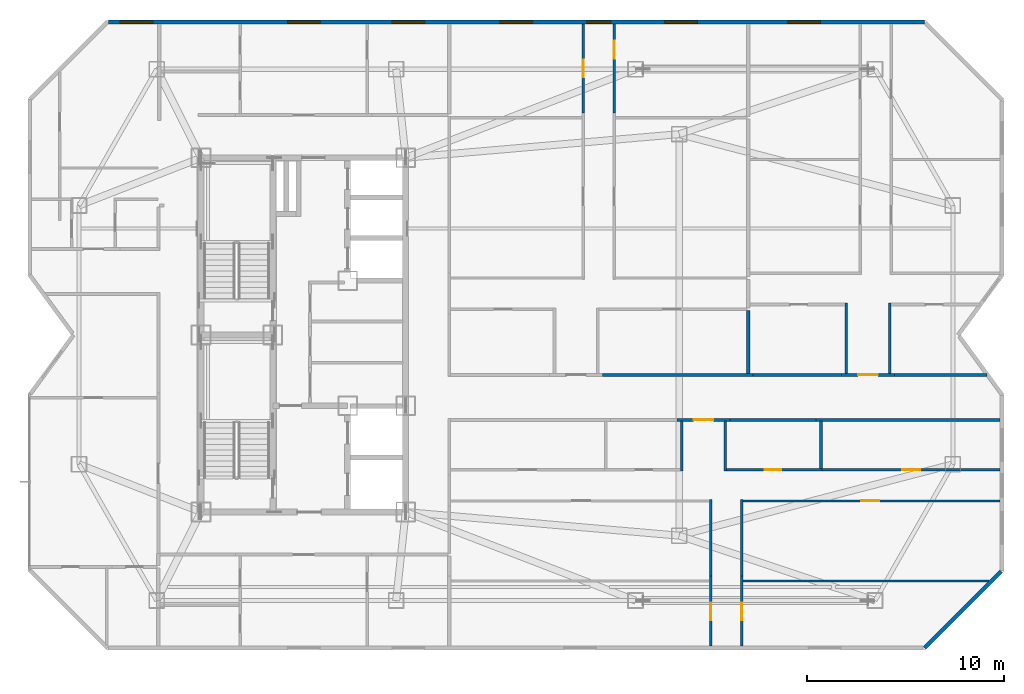
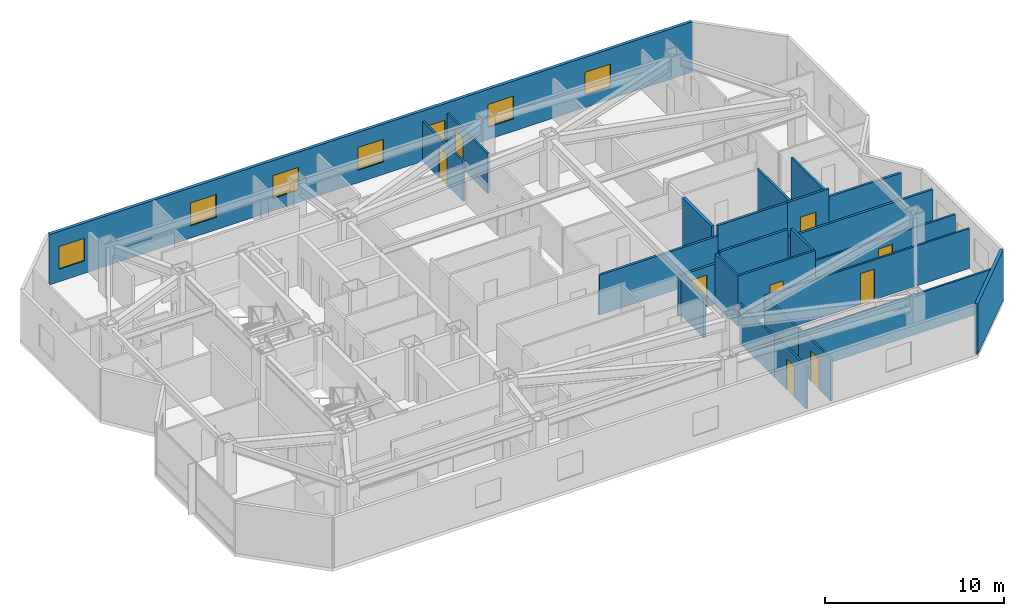
# One storey, part 11 of 14: 25 walls, 9 doors, 7 windows, 16 openings.
"""IFC4 building model written with IfcOpenShell, lengths in metres."""

from ifc_helpers import new_model, si_unit, direction, frame, frame_2d, origin, place, context, subcontext, project, spatial, rectangle, extrude, material, layer, layer_set, type_object, element, fill, save


model = new_model("IFC4")

# Units and contexts
model_context = context("Model", 3, precision=1e-05, world=origin(), true_north=direction((0.0, 1.0)))
body_context = subcontext(model_context, "Body", "Model", "MODEL_VIEW")
ifc_project = project(units=[si_unit("LENGTHUNIT", "METRE"), si_unit("AREAUNIT", "SQUARE_METRE"), si_unit("VOLUMEUNIT", "CUBIC_METRE"), si_unit("PLANEANGLEUNIT", "RADIAN"), si_unit("MASSUNIT", "GRAM", prefix="KILO")], contexts=[model_context])

# Site, building, storey
site_placement = place(None, origin())
site = spatial("IfcSite", under=ifc_project, at=site_placement, CompositionType="ELEMENT")
building_placement = place(site_placement, origin())
building = spatial("IfcBuilding", under=site, at=building_placement, Name="Khamvora Tower", CompositionType="ELEMENT")
storey_placement = place(building_placement, frame((0.0, 0.0, 231.800048828125)))
storey = spatial("IfcBuildingStorey", under=building, at=storey_placement, Name="L59", CompositionType="ELEMENT", Elevation=231.800048828125)

# Wall
ifc_material_1 = material(Name="Fire-Rated Drywall and Steel Stud", Category="steel")
ifc_layer_1 = layer(ifc_material_1, 0.14990234375)
ifc_layer_set_1 = layer_set([ifc_layer_1], Name="Fire-Rated Drywall and Steel Stud")
wall_type_1 = type_object("IfcWallType", Name="WAL-CORR-150", PredefinedType="STANDARD", material=ifc_layer_set_1)
wall_1_placement = place(storey_placement, frame((69.60791015625, 23.68505859375, 0.0), z_axis=(0.0, 0.0, 1.0), x_axis=(-1.0, 0.0, 0.0)))
element("IfcWall", 1, at=wall_1_placement, inside=storey, type_object=wall_type_1, Name="L59 interior partition wall 022", PredefinedType="STANDARD", context=body_context, shape_type="SweptSolid", body=[
    extrude(rectangle(XDim=9.35693359375, YDim=0.14990234375, at=frame_2d((4.678466796875, 0.0))), origin(), (0.0, 0.0, 1.0), 2.886962890625),
])

# Wall, opening, door
wall_2_placement = place(storey_placement, frame((55.884033203125, 23.68505859375, 0.0), z_axis=(0.0, 0.0, 1.0), x_axis=(-1.0, 0.0, 0.0)))
wall_2 = element("IfcWall", 2, at=wall_2_placement, inside=storey, type_object=wall_type_1, Name="L59 interior partition wall 023", PredefinedType="STANDARD", context=body_context, shape_type="SweptSolid", body=[
    extrude(rectangle(XDim=2.697998046875, YDim=0.14990234375, at=frame_2d((1.34912109375, 0.0))), origin(), (0.0, 0.0, 1.0), 2.724853515625),
])
opening_1_placement = place(wall_2_placement, frame((0.84912109375, 0.0, 0.0)))
opening_1 = element("IfcOpeningElement", 3, at=opening_1_placement, cuts=wall_2, Name="Opening D-U1", PredefinedType="OPENING", context=body_context, shape_type="SweptSolid", body=[
    extrude(rectangle(XDim=1.0, YDim=2.14990234375, at=frame_2d((0.5, 1.074951171875))), frame((0.0, 0.0849609375, 0.0), z_axis=(0.0, -1.0, 0.0), x_axis=(1.0, 0.0, 0.0)), (0.0, 0.0, 1.0), 0.169921875),
])
ifc_material_2 = material(Name="Powder-Coated Steel and Hardwood Leaf", Category="steel")
door_type_1 = type_object("IfcDoorType", Name="DOR-UNIT-1000", OperationType="NOTDEFINED", PredefinedType="DOOR", material=ifc_material_2)
door_1_placement = place(opening_1_placement, origin())
door_1 = element("IfcDoor", 4, at=door_1_placement, inside=storey, type_object=door_type_1, Name="L59 interior door COR-59EAH", OperationType="SINGLE_SWING_RIGHT", OverallHeight=2.14990234375, OverallWidth=1.0, PredefinedType="DOOR", context=body_context, shape_type="SweptSolid", body=[
    extrude(rectangle(XDim=1.0, YDim=2.14990234375, at=frame_2d((0.5, 1.074951171875))), frame((0.0, 0.02490234375, 0.0), z_axis=(0.0, -1.0, 0.0), x_axis=(1.0, 0.0, 0.0)), (0.0, 0.0, 1.0), 0.050048828125),
])
fill(opening_1, door_1)

# Walls
wall_3_placement = place(storey_placement, frame((60.2509765625, 23.68505859375, 0.0), z_axis=(0.0, 0.0, 1.0), x_axis=(-1.0, 0.0, 0.0)))
element("IfcWall", 5, at=wall_3_placement, inside=storey, type_object=wall_type_1, Name="L59 interior partition wall 026", PredefinedType="STANDARD", context=body_context, shape_type="SweptSolid", body=[
    extrude(rectangle(XDim=4.366943359375, YDim=0.14990234375, at=frame_2d((2.18359375, 0.0))), origin(), (0.0, 0.0, 1.0), 3.429931640625),
])
wall_4_placement = place(storey_placement, frame((49.408935546875, 25.965087890625, 0.0), z_axis=(0.0, 0.0, 1.0), x_axis=(1.0, 0.0, 0.0)))
element("IfcWall", 6, at=wall_4_placement, inside=storey, type_object=wall_type_1, Name="L59 interior partition wall 032", PredefinedType="STANDARD", context=body_context, shape_type="SweptSolid", body=[
    extrude(rectangle(XDim=7.64599609375, YDim=0.14990234375, at=frame_2d((3.822998046875, 0.0))), origin(), (0.0, 0.0, 1.0), 2.724853515625),
])

# Wall, opening, door
wall_5_placement = place(storey_placement, frame((61.5400390625, 25.965087890625, 0.0), z_axis=(0.0, 0.0, 1.0), x_axis=(1.0, 0.0, 0.0)))
wall_5 = element("IfcWall", 7, at=wall_5_placement, inside=storey, type_object=wall_type_1, Name="L59 interior partition wall 034", PredefinedType="STANDARD", context=body_context, shape_type="SweptSolid", body=[
    extrude(rectangle(XDim=2.697998046875, YDim=0.14990234375, at=frame_2d((1.34912109375, 0.0))), origin(), (0.0, 0.0, 1.0), 3.429931640625),
])
opening_2_placement = place(wall_5_placement, frame((0.84912109375, 0.0, 0.0)))
opening_2 = element("IfcOpeningElement", 8, at=opening_2_placement, cuts=wall_5, Name="Opening D-U1", PredefinedType="OPENING", context=body_context, shape_type="SweptSolid", body=[
    extrude(rectangle(XDim=1.0, YDim=2.14990234375, at=frame_2d((0.5, 1.074951171875))), frame((0.0, 0.0849609375, 0.0), z_axis=(0.0, -1.0, 0.0), x_axis=(1.0, 0.0, 0.0)), (0.0, 0.0, 1.0), 0.169921875),
])
door_2_placement = place(opening_2_placement, origin())
door_2 = element("IfcDoor", 9, at=door_2_placement, inside=storey, type_object=door_type_1, Name="L59 interior door COR-59EB2H", OperationType="SINGLE_SWING_RIGHT", OverallHeight=2.14990234375, OverallWidth=1.0, PredefinedType="DOOR", context=body_context, shape_type="SweptSolid", body=[
    extrude(rectangle(XDim=1.0, YDim=2.14990234375, at=frame_2d((0.5, 1.074951171875))), frame((0.0, 0.02490234375, 0.0), z_axis=(0.0, -1.0, 0.0), x_axis=(1.0, 0.0, 0.0)), (0.0, 0.0, 1.0), 0.050048828125),
])
fill(opening_2, door_2)

# Walls
wall_6_placement = place(storey_placement, frame((64.238037109375, 25.965087890625, 0.0), z_axis=(0.0, 0.0, 1.0), x_axis=(1.0, 0.0, 0.0)))
element("IfcWall", 10, at=wall_6_placement, inside=storey, type_object=wall_type_1, Name="L59 interior partition wall 035", PredefinedType="STANDARD", context=body_context, shape_type="SweptSolid", body=[
    extrude(rectangle(XDim=4.702880859375, YDim=0.14990234375, at=frame_2d((2.3515625, 0.0))), origin(), (0.0, 0.0, 1.0), 2.886962890625),
])
wall_7_placement = place(storey_placement, frame((57.054931640625, 25.965087890625, 0.0), z_axis=(0.0, 0.0, 1.0), x_axis=(1.0, 0.0, 0.0)))
element("IfcWall", 11, at=wall_7_placement, inside=storey, type_object=wall_type_1, Name="L59 interior partition wall 036", PredefinedType="STANDARD", context=body_context, shape_type="SweptSolid", body=[
    extrude(rectangle(XDim=4.485107421875, YDim=0.14990234375, at=frame_2d((2.24267578125, 0.0))), origin(), (0.0, 0.0, 1.0), 3.429931640625),
])
ifc_material_3 = material(Name="Acoustic Double-Stud Fire Wall", Category="gypsum")
ifc_layer_2 = layer(ifc_material_3, 0.179931640625)
ifc_layer_set_2 = layer_set([ifc_layer_2], Name="Acoustic Double-Stud Fire Wall")
wall_type_2 = type_object("IfcWallType", Name="WAL-CORR-180", PredefinedType="STANDARD", material=ifc_layer_set_2)
wall_8_placement = place(storey_placement, frame((56.804931640625, 29.2451171875, 0.0), z_axis=(0.0, 0.0, 1.0), x_axis=(0.0, -1.0, 0.0)))
element("IfcWall", 12, at=wall_8_placement, inside=storey, type_object=wall_type_2, Name="L59 interior partition wall 090", PredefinedType="STANDARD", context=body_context, shape_type="SweptSolid", body=[
    extrude(rectangle(XDim=3.215087890625, YDim=0.179931640625, at=frame_2d((1.607421875, 0.0))), origin(), (0.0, 0.0, 1.0), 3.429931640625),
])

# Wall, openings, windows
ifc_material_4 = material(Name="Precast concrete C40/50", Category="concrete")
ifc_layer_3 = layer(ifc_material_4, 0.199951171875)
ifc_layer_set_3 = layer_set([ifc_layer_3], Name="Precast concrete C40/50")
wall_type_3 = type_object("IfcWallType", Name="WAL-EXT-200", PredefinedType="STANDARD", material=ifc_layer_set_3)
wall_9_placement = place(storey_placement, frame((24.302001953125, 43.89990234375, 0.0), z_axis=(0.0, 0.0, 1.0), x_axis=(1.0, 0.0, 0.0)))
wall_9 = element("IfcWall", 13, at=wall_9_placement, inside=storey, type_object=wall_type_3, Name="L59 exterior facade wall 07.1", PredefinedType="STANDARD", context=body_context, shape_type="SweptSolid", body=[
    extrude(rectangle(XDim=41.45703125, YDim=0.199951171875, at=frame_2d((20.728515625, 0.0))), origin(), (0.0, 0.0, 1.0), 3.429931640625),
])
opening_3_placement = place(wall_9_placement, frame((0.60400390625, 0.0, 0.85009765625)))
opening_3 = element("IfcOpeningElement", 14, at=opening_3_placement, cuts=wall_9, Name="Opening WN-06", PredefinedType="OPENING", context=body_context, shape_type="SweptSolid", body=[
    extrude(rectangle(XDim=1.64990234375, YDim=1.550048828125, at=frame_2d((0.824951171875, 0.77490234375))), frame((0.0, 0.10986328125, 0.0), z_axis=(0.0, -1.0, 0.0), x_axis=(1.0, 0.0, 0.0)), (0.0, 0.0, 1.0), 0.219970703125),
])
opening_4_placement = place(wall_9_placement, frame((9.097900390625, 0.0, 0.85009765625)))
opening_4 = element("IfcOpeningElement", 15, at=opening_4_placement, cuts=wall_9, Name="Opening WN-06", PredefinedType="OPENING", context=body_context, shape_type="SweptSolid", body=[
    extrude(rectangle(XDim=1.64990234375, YDim=1.550048828125, at=frame_2d((0.824951171875, 0.77490234375))), frame((0.0, 0.10986328125, 0.0), z_axis=(0.0, -1.0, 0.0), x_axis=(1.0, 0.0, 0.0)), (0.0, 0.0, 1.0), 0.219970703125),
])
opening_5_placement = place(wall_9_placement, frame((14.405029296875, 0.0, 0.85009765625)))
opening_5 = element("IfcOpeningElement", 16, at=opening_5_placement, cuts=wall_9, Name="Opening WN-06", PredefinedType="OPENING", context=body_context, shape_type="SweptSolid", body=[
    extrude(rectangle(XDim=1.64990234375, YDim=1.550048828125, at=frame_2d((0.824951171875, 0.77490234375))), frame((0.0, 0.10986328125, 0.0), z_axis=(0.0, -1.0, 0.0), x_axis=(1.0, 0.0, 0.0)), (0.0, 0.0, 1.0), 0.219970703125),
])
opening_6_placement = place(wall_9_placement, frame((24.30810546875, 0.0, 0.800048828125)))
opening_6 = element("IfcOpeningElement", 17, at=opening_6_placement, cuts=wall_9, Name="Opening WN-03", PredefinedType="OPENING", context=body_context, shape_type="SweptSolid", body=[
    extrude(rectangle(XDim=1.199951171875, YDim=1.5, at=frame_2d((0.60009765625, 0.75))), frame((0.0, 0.10986328125, 0.0), z_axis=(0.0, -1.0, 0.0), x_axis=(1.0, 0.0, 0.0)), (0.0, 0.0, 1.0), 0.219970703125),
])
opening_7_placement = place(wall_9_placement, frame((19.89306640625, 0.0, 0.85009765625)))
opening_7 = element("IfcOpeningElement", 18, at=opening_7_placement, cuts=wall_9, Name="Opening WN-06", PredefinedType="OPENING", context=body_context, shape_type="SweptSolid", body=[
    extrude(rectangle(XDim=1.64990234375, YDim=1.550048828125, at=frame_2d((0.824951171875, 0.77490234375))), frame((0.0, 0.10986328125, 0.0), z_axis=(0.0, -1.0, 0.0), x_axis=(1.0, 0.0, 0.0)), (0.0, 0.0, 1.0), 0.219970703125),
])
opening_8_placement = place(wall_9_placement, frame((28.27294921875, 0.0, 0.85009765625)))
opening_8 = element("IfcOpeningElement", 19, at=opening_8_placement, cuts=wall_9, Name="Opening WN-06", PredefinedType="OPENING", context=body_context, shape_type="SweptSolid", body=[
    extrude(rectangle(XDim=1.64990234375, YDim=1.550048828125, at=frame_2d((0.824951171875, 0.77490234375))), frame((0.0, 0.10986328125, 0.0), z_axis=(0.0, -1.0, 0.0), x_axis=(1.0, 0.0, 0.0)), (0.0, 0.0, 1.0), 0.219970703125),
])
opening_9_placement = place(wall_9_placement, frame((34.52294921875, 0.0, 0.85009765625)))
opening_9 = element("IfcOpeningElement", 20, at=opening_9_placement, cuts=wall_9, Name="Opening WN-06", PredefinedType="OPENING", context=body_context, shape_type="SweptSolid", body=[
    extrude(rectangle(XDim=1.64990234375, YDim=1.550048828125, at=frame_2d((0.824951171875, 0.77490234375))), frame((0.0, 0.10986328125, 0.0), z_axis=(0.0, -1.0, 0.0), x_axis=(1.0, 0.0, 0.0)), (0.0, 0.0, 1.0), 0.219970703125),
])
ifc_material_5 = material(Name="Low-E Laminated Double Glazing", Category="glass")
window_type_1 = type_object("IfcWindowType", Name="WIN-VIS-1200x1500", PartitioningType="SINGLE_PANEL", PredefinedType="WINDOW", material=ifc_material_5)
window_1_placement = place(opening_6_placement, origin())
window_1 = element("IfcWindow", 21, at=window_1_placement, inside=storey, type_object=window_type_1, Name="L59 vision window 07.1.04", OverallHeight=1.5, OverallWidth=1.199951171875, PartitioningType="SINGLE_PANEL", PredefinedType="WINDOW", context=body_context, shape_type="SweptSolid", body=[
    extrude(rectangle(XDim=1.199951171875, YDim=1.5, at=frame_2d((0.60009765625, 0.75))), frame((0.0, 0.030029296875, 0.0), z_axis=(0.0, -1.0, 0.0), x_axis=(1.0, 0.0, 0.0)), (0.0, 0.0, 1.0), 0.06005859375),
])
fill(opening_6, window_1)
window_type_2 = type_object("IfcWindowType", Name="WIN-VIS-1650x1550", PartitioningType="SINGLE_PANEL", PredefinedType="WINDOW", material=ifc_material_5)
window_2_placement = place(opening_3_placement, origin())
window_2 = element("IfcWindow", 22, at=window_2_placement, inside=storey, type_object=window_type_2, Name="L59 vision window 07.1.01", OverallHeight=1.550048828125, OverallWidth=1.64990234375, PartitioningType="SINGLE_PANEL", PredefinedType="WINDOW", context=body_context, shape_type="SweptSolid", body=[
    extrude(rectangle(XDim=1.64990234375, YDim=1.550048828125, at=frame_2d((0.824951171875, 0.77490234375))), frame((0.0, 0.030029296875, 0.0), z_axis=(0.0, -1.0, 0.0), x_axis=(1.0, 0.0, 0.0)), (0.0, 0.0, 1.0), 0.06005859375),
])
fill(opening_3, window_2)
window_3_placement = place(opening_4_placement, origin())
window_3 = element("IfcWindow", 23, at=window_3_placement, inside=storey, type_object=window_type_2, Name="L59 vision window 07.1.02", OverallHeight=1.550048828125, OverallWidth=1.64990234375, PartitioningType="SINGLE_PANEL", PredefinedType="WINDOW", context=body_context, shape_type="SweptSolid", body=[
    extrude(rectangle(XDim=1.64990234375, YDim=1.550048828125, at=frame_2d((0.824951171875, 0.77490234375))), frame((0.0, 0.030029296875, 0.0), z_axis=(0.0, -1.0, 0.0), x_axis=(1.0, 0.0, 0.0)), (0.0, 0.0, 1.0), 0.06005859375),
])
fill(opening_4, window_3)
window_4_placement = place(opening_5_placement, origin())
window_4 = element("IfcWindow", 24, at=window_4_placement, inside=storey, type_object=window_type_2, Name="L59 vision window 07.1.03", OverallHeight=1.550048828125, OverallWidth=1.64990234375, PartitioningType="SINGLE_PANEL", PredefinedType="WINDOW", context=body_context, shape_type="SweptSolid", body=[
    extrude(rectangle(XDim=1.64990234375, YDim=1.550048828125, at=frame_2d((0.824951171875, 0.77490234375))), frame((0.0, 0.030029296875, 0.0), z_axis=(0.0, -1.0, 0.0), x_axis=(1.0, 0.0, 0.0)), (0.0, 0.0, 1.0), 0.06005859375),
])
fill(opening_5, window_4)
window_5_placement = place(opening_7_placement, origin())
window_5 = element("IfcWindow", 25, at=window_5_placement, inside=storey, type_object=window_type_2, Name="L59 vision window 07.1.05", OverallHeight=1.550048828125, OverallWidth=1.64990234375, PartitioningType="SINGLE_PANEL", PredefinedType="WINDOW", context=body_context, shape_type="SweptSolid", body=[
    extrude(rectangle(XDim=1.64990234375, YDim=1.550048828125, at=frame_2d((0.824951171875, 0.77490234375))), frame((0.0, 0.030029296875, 0.0), z_axis=(0.0, -1.0, 0.0), x_axis=(1.0, 0.0, 0.0)), (0.0, 0.0, 1.0), 0.06005859375),
])
fill(opening_7, window_5)
window_6_placement = place(opening_8_placement, origin())
window_6 = element("IfcWindow", 26, at=window_6_placement, inside=storey, type_object=window_type_2, Name="L59 vision window 07.1.06", OverallHeight=1.550048828125, OverallWidth=1.64990234375, PartitioningType="SINGLE_PANEL", PredefinedType="WINDOW", context=body_context, shape_type="SweptSolid", body=[
    extrude(rectangle(XDim=1.64990234375, YDim=1.550048828125, at=frame_2d((0.824951171875, 0.77490234375))), frame((0.0, 0.030029296875, 0.0), z_axis=(0.0, -1.0, 0.0), x_axis=(1.0, 0.0, 0.0)), (0.0, 0.0, 1.0), 0.06005859375),
])
fill(opening_8, window_6)
window_7_placement = place(opening_9_placement, origin())
window_7 = element("IfcWindow", 27, at=window_7_placement, inside=storey, type_object=window_type_2, Name="L59 vision window 07.1.07", OverallHeight=1.550048828125, OverallWidth=1.64990234375, PartitioningType="SINGLE_PANEL", PredefinedType="WINDOW", context=body_context, shape_type="SweptSolid", body=[
    extrude(rectangle(XDim=1.64990234375, YDim=1.550048828125, at=frame_2d((0.824951171875, 0.77490234375))), frame((0.0, 0.030029296875, 0.0), z_axis=(0.0, -1.0, 0.0), x_axis=(1.0, 0.0, 0.0)), (0.0, 0.0, 1.0), 0.06005859375),
])
fill(opening_9, window_7)

# Wall
wall_10_placement = place(storey_placement, frame((69.655029296875, 15.99609375, 0.0), z_axis=(0.0, 0.0, 1.0), x_axis=(-0.707106781187, -0.707106781187, 0.0)))
element("IfcWall", 28, at=wall_10_placement, inside=storey, type_object=wall_type_3, Name="L59 exterior facade wall 13.1", PredefinedType="STANDARD", context=body_context, shape_type="SweptSolid", body=[
    extrude(rectangle(XDim=5.509765625, YDim=0.199951171875, at=frame_2d((2.7548828125, 0.0))), origin(), (0.0, 0.0, 1.0), 3.429931640625),
])

# Wall, opening, door
ifc_material_6 = material(Name="Gypsum Plasterboard Partition", Category="gypsum")
ifc_layer_4 = layer(ifc_material_6, 0.1201171875)
ifc_layer_set_4 = layer_set([ifc_layer_4], Name="Gypsum Plasterboard Partition")
wall_type_4 = type_object("IfcWallType", Name="WAL-PART-120", PredefinedType="PARTITIONING", material=ifc_layer_set_4)
wall_11_placement = place(storey_placement, frame((69.60791015625, 21.14306640625, 0.0), z_axis=(0.0, 0.0, 1.0), x_axis=(-1.0, 0.0, 0.0)))
wall_11 = element("IfcWall", 29, at=wall_11_placement, inside=storey, type_object=wall_type_4, Name="L59 interior partition wall 065", PredefinedType="PARTITIONING", context=body_context, shape_type="SweptSolid", body=[
    extrude(rectangle(XDim=9.04296875, YDim=0.1201171875, at=frame_2d((4.521484375, 0.0))), origin(), (0.0, 0.0, 1.0), 2.724853515625),
])
opening_10_placement = place(wall_11_placement, frame((4.071044921875, 0.0, 0.0)))
opening_10 = element("IfcOpeningElement", 30, at=opening_10_placement, cuts=wall_11, Name="Opening D-RM1", PredefinedType="OPENING", context=body_context, shape_type="SweptSolid", body=[
    extrude(rectangle(XDim=0.89990234375, YDim=2.10009765625, at=frame_2d((0.449951171875, 1.050048828125))), frame((0.0, 0.070068359375, 0.0), z_axis=(0.0, -1.0, 0.0), x_axis=(1.0, 0.0, 0.0)), (0.0, 0.0, 1.0), 0.14013671875),
])
door_type_2 = type_object("IfcDoorType", Name="DOR-ROOM-900", OperationType="NOTDEFINED", PredefinedType="DOOR", material=ifc_material_2)
door_3_placement = place(opening_10_placement, origin())
door_3 = element("IfcDoor", 31, at=door_3_placement, inside=storey, type_object=door_type_2, Name="L59 interior door 59EAW2-59EAH", OperationType="SINGLE_SWING_LEFT", OverallHeight=2.10009765625, OverallWidth=0.89990234375, PredefinedType="DOOR", context=body_context, shape_type="SweptSolid", body=[
    extrude(rectangle(XDim=0.89990234375, YDim=2.10009765625, at=frame_2d((0.449951171875, 1.050048828125))), frame((0.0, 0.02490234375, 0.0), z_axis=(0.0, -1.0, 0.0), x_axis=(1.0, 0.0, 0.0)), (0.0, 0.0, 1.0), 0.050048828125),
])
fill(opening_10, door_3)

wall_12_placement = place(storey_placement, frame((54.89990234375, 12.19189453125, 0.0), z_axis=(0.0, 0.0, 1.0), x_axis=(0.0, 1.0, 0.0)))
wall_12 = element("IfcWall", 32, at=wall_12_placement, inside=storey, type_object=wall_type_4, Name="L59 interior partition wall 071", PredefinedType="PARTITIONING", context=body_context, shape_type="SweptSolid", body=[
    extrude(rectangle(XDim=3.55615234375, YDim=0.1201171875, at=frame_2d((1.778076171875, 0.0))), origin(), (0.0, 0.0, 1.0), 2.886962890625),
])
opening_11_placement = place(wall_12_placement, frame((1.306884765625, 0.0, 0.0)))
opening_11 = element("IfcOpeningElement", 33, at=opening_11_placement, cuts=wall_12, Name="Opening D-RM1", PredefinedType="OPENING", context=body_context, shape_type="SweptSolid", body=[
    extrude(rectangle(XDim=0.89990234375, YDim=2.10009765625, at=frame_2d((0.449951171875, 1.050048828125))), frame((0.0, 0.070068359375, 0.0), z_axis=(0.0, -1.0, 0.0), x_axis=(1.0, 0.0, 0.0)), (0.0, 0.0, 1.0), 0.14013671875),
])
door_4_placement = place(opening_11_placement, origin())
door_4 = element("IfcDoor", 34, at=door_4_placement, inside=storey, type_object=door_type_2, Name="L59 interior door 59EAH-59EAR1", OperationType="SINGLE_SWING_RIGHT", OverallHeight=2.10009765625, OverallWidth=0.89990234375, PredefinedType="DOOR", context=body_context, shape_type="SweptSolid", body=[
    extrude(rectangle(XDim=0.89990234375, YDim=2.10009765625, at=frame_2d((0.449951171875, 1.050048828125))), frame((0.0, 0.02490234375, 0.0), z_axis=(0.0, -1.0, 0.0), x_axis=(1.0, 0.0, 0.0)), (0.0, 0.0, 1.0), 0.050048828125),
])
fill(opening_11, door_4)

# Wall
wall_13_placement = place(storey_placement, frame((54.89990234375, 15.748046875, 0.0), z_axis=(0.0, 0.0, 1.0), x_axis=(0.0, 1.0, 0.0)))
element("IfcWall", 35, at=wall_13_placement, inside=storey, type_object=wall_type_4, Name="L59 interior partition wall 072", PredefinedType="PARTITIONING", context=body_context, shape_type="SweptSolid", body=[
    extrude(rectangle(XDim=3.8798828125, YDim=0.1201171875, at=frame_2d((1.93994140625, 0.0))), origin(), (0.0, 0.0, 1.0), 2.724853515625),
])

# Wall, opening, door
wall_14_placement = place(storey_placement, frame((56.469970703125, 15.748046875, 0.0), z_axis=(0.0, 0.0, 1.0), x_axis=(0.0, -1.0, 0.0)))
wall_14 = element("IfcWall", 36, at=wall_14_placement, inside=storey, type_object=wall_type_4, Name="L59 interior partition wall 074", PredefinedType="PARTITIONING", context=body_context, shape_type="SweptSolid", body=[
    extrude(rectangle(XDim=3.55615234375, YDim=0.1201171875, at=frame_2d((1.778076171875, 0.0))), origin(), (0.0, 0.0, 1.0), 2.886962890625),
])
opening_12_placement = place(wall_14_placement, frame((1.34912109375, 0.0, 0.0)))
opening_12 = element("IfcOpeningElement", 37, at=opening_12_placement, cuts=wall_14, Name="Opening D-RM1", PredefinedType="OPENING", context=body_context, shape_type="SweptSolid", body=[
    extrude(rectangle(XDim=0.89990234375, YDim=2.10009765625, at=frame_2d((0.449951171875, 1.050048828125))), frame((0.0, 0.070068359375, 0.0), z_axis=(0.0, -1.0, 0.0), x_axis=(1.0, 0.0, 0.0)), (0.0, 0.0, 1.0), 0.14013671875),
])
door_5_placement = place(opening_12_placement, origin())
door_5 = element("IfcDoor", 38, at=door_5_placement, inside=storey, type_object=door_type_2, Name="L59 interior door 59EAH-59EAR3", OperationType="SINGLE_SWING_RIGHT", OverallHeight=2.10009765625, OverallWidth=0.89990234375, PredefinedType="DOOR", context=body_context, shape_type="SweptSolid", body=[
    extrude(rectangle(XDim=0.89990234375, YDim=2.10009765625, at=frame_2d((0.449951171875, 1.050048828125))), frame((0.0, 0.02490234375, 0.0), z_axis=(0.0, -1.0, 0.0), x_axis=(1.0, 0.0, 0.0)), (0.0, 0.0, 1.0), 0.050048828125),
])
fill(opening_12, door_5)

wall_15_placement = place(storey_placement, frame((69.60791015625, 19.56298828125, 0.0), z_axis=(0.0, 0.0, 1.0), x_axis=(-1.0, 0.0, 0.0)))
wall_15 = element("IfcWall", 39, at=wall_15_placement, inside=storey, type_object=wall_type_4, Name="L59 interior partition wall 075", PredefinedType="PARTITIONING", context=body_context, shape_type="SweptSolid", body=[
    extrude(rectangle(XDim=13.202880859375, YDim=0.1201171875, at=frame_2d((6.6015625, 0.0))), origin(), (0.0, 0.0, 1.0), 2.724853515625),
])
opening_13_placement = place(wall_15_placement, frame((6.15087890625, 0.0, 0.0)))
opening_13 = element("IfcOpeningElement", 40, at=opening_13_placement, cuts=wall_15, Name="Opening D-RM1", PredefinedType="OPENING", context=body_context, shape_type="SweptSolid", body=[
    extrude(rectangle(XDim=0.89990234375, YDim=2.10009765625, at=frame_2d((0.449951171875, 1.050048828125))), frame((0.0, 0.070068359375, 0.0), z_axis=(0.0, -1.0, 0.0), x_axis=(1.0, 0.0, 0.0)), (0.0, 0.0, 1.0), 0.14013671875),
])
door_6_placement = place(opening_13_placement, origin())
door_6 = element("IfcDoor", 41, at=door_6_placement, inside=storey, type_object=door_type_2, Name="L59 interior door 59EAH-59EAR4", OperationType="SINGLE_SWING_LEFT", OverallHeight=2.10009765625, OverallWidth=0.89990234375, PredefinedType="DOOR", context=body_context, shape_type="SweptSolid", body=[
    extrude(rectangle(XDim=0.89990234375, YDim=2.10009765625, at=frame_2d((0.449951171875, 1.050048828125))), frame((0.0, 0.02490234375, 0.0), z_axis=(0.0, -1.0, 0.0), x_axis=(1.0, 0.0, 0.0)), (0.0, 0.0, 1.0), 0.050048828125),
])
fill(opening_13, door_6)

# Walls
wall_16_placement = place(storey_placement, frame((56.469970703125, 19.6279296875, 0.0), z_axis=(0.0, 0.0, 1.0), x_axis=(0.0, -1.0, 0.0)))
element("IfcWall", 42, at=wall_16_placement, inside=storey, type_object=wall_type_4, Name="L59 interior partition wall 076", PredefinedType="PARTITIONING", context=body_context, shape_type="SweptSolid", body=[
    extrude(rectangle(XDim=3.8798828125, YDim=0.1201171875, at=frame_2d((1.93994140625, 0.0))), origin(), (0.0, 0.0, 1.0), 2.724853515625),
])
wall_17_placement = place(storey_placement, frame((56.52392578125, 15.4990234375, 0.0), z_axis=(0.0, 0.0, 1.0), x_axis=(1.0, 0.0, 0.0)))
element("IfcWall", 43, at=wall_17_placement, inside=storey, type_object=wall_type_4, Name="L59 interior partition wall 078", PredefinedType="PARTITIONING", context=body_context, shape_type="SweptSolid", body=[
    extrude(rectangle(XDim=12.51904296875, YDim=0.1201171875, at=frame_2d((6.259521484375, 0.0))), origin(), (0.0, 0.0, 1.0), 2.724853515625),
])

# Wall, opening, door
wall_18_placement = place(storey_placement, frame((48.425048828125, 39.27587890625, 0.0), z_axis=(0.0, 0.0, 1.0), x_axis=(0.0, 1.0, 0.0)))
wall_18 = element("IfcWall", 44, at=wall_18_placement, inside=storey, type_object=wall_type_4, Name="L59 interior partition wall 085", PredefinedType="PARTITIONING", context=body_context, shape_type="SweptSolid", body=[
    extrude(rectangle(XDim=4.5322265625, YDim=0.1201171875, at=frame_2d((2.26611328125, 0.0))), origin(), (0.0, 0.0, 1.0), 2.724853515625),
])
opening_14_placement = place(wall_18_placement, frame((1.81591796875, 0.0, 0.0)))
opening_14 = element("IfcOpeningElement", 45, at=opening_14_placement, cuts=wall_18, Name="Opening D-RM1", PredefinedType="OPENING", context=body_context, shape_type="SweptSolid", body=[
    extrude(rectangle(XDim=0.89990234375, YDim=2.10009765625, at=frame_2d((0.449951171875, 1.050048828125))), frame((0.0, 0.070068359375, 0.0), z_axis=(0.0, -1.0, 0.0), x_axis=(1.0, 0.0, 0.0)), (0.0, 0.0, 1.0), 0.14013671875),
])
door_7_placement = place(opening_14_placement, origin())
door_7 = element("IfcDoor", 46, at=door_7_placement, inside=storey, type_object=door_type_2, Name="L59 interior door 59EB1H-59EB1R2", OperationType="SINGLE_SWING_LEFT", OverallHeight=2.10009765625, OverallWidth=0.89990234375, PredefinedType="DOOR", context=body_context, shape_type="SweptSolid", body=[
    extrude(rectangle(XDim=0.89990234375, YDim=2.10009765625, at=frame_2d((0.449951171875, 1.050048828125))), frame((0.0, 0.02490234375, 0.0), z_axis=(0.0, -1.0, 0.0), x_axis=(1.0, 0.0, 0.0)), (0.0, 0.0, 1.0), 0.050048828125),
])
fill(opening_14, door_7)

wall_19_placement = place(storey_placement, frame((49.9951171875, 43.80810546875, 0.0), z_axis=(0.0, 0.0, 1.0), x_axis=(0.0, -1.0, 0.0)))
wall_19 = element("IfcWall", 47, at=wall_19_placement, inside=storey, type_object=wall_type_4, Name="L59 interior partition wall 088", PredefinedType="PARTITIONING", context=body_context, shape_type="SweptSolid", body=[
    extrude(rectangle(XDim=4.5322265625, YDim=0.1201171875, at=frame_2d((2.26611328125, 0.0))), origin(), (0.0, 0.0, 1.0), 2.724853515625),
])
opening_15_placement = place(wall_19_placement, frame((0.8740234375, 0.0, 0.0)))
opening_15 = element("IfcOpeningElement", 48, at=opening_15_placement, cuts=wall_19, Name="Opening D-RM1", PredefinedType="OPENING", context=body_context, shape_type="SweptSolid", body=[
    extrude(rectangle(XDim=0.89990234375, YDim=2.10009765625, at=frame_2d((0.449951171875, 1.050048828125))), frame((0.0, 0.070068359375, 0.0), z_axis=(0.0, -1.0, 0.0), x_axis=(1.0, 0.0, 0.0)), (0.0, 0.0, 1.0), 0.14013671875),
])
door_8_placement = place(opening_15_placement, origin())
door_8 = element("IfcDoor", 49, at=door_8_placement, inside=storey, type_object=door_type_2, Name="L59 interior door 59EB1H-59EB1R4", OperationType="SINGLE_SWING_LEFT", OverallHeight=2.10009765625, OverallWidth=0.89990234375, PredefinedType="DOOR", context=body_context, shape_type="SweptSolid", body=[
    extrude(rectangle(XDim=0.89990234375, YDim=2.10009765625, at=frame_2d((0.449951171875, 1.050048828125))), frame((0.0, 0.02490234375, 0.0), z_axis=(0.0, -1.0, 0.0), x_axis=(1.0, 0.0, 0.0)), (0.0, 0.0, 1.0), 0.050048828125),
])
fill(opening_15, door_8)

# Walls
ifc_material_7 = material(Name="Moisture-Resistant Plasterboard Partition", Category="gypsum")
ifc_layer_5 = layer(ifc_material_7, 0.135009765625)
ifc_layer_set_5 = layer_set([ifc_layer_5], Name="Moisture-Resistant Plasterboard Partition")
wall_type_5 = type_object("IfcWallType", Name="WAL-WET-135", PredefinedType="PARTITIONING", material=ifc_layer_set_5)
wall_20_placement = place(storey_placement, frame((60.5, 21.2080078125, 0.0), z_axis=(0.0, 0.0, 1.0), x_axis=(0.0, 1.0, 0.0)))
element("IfcWall", 50, at=wall_20_placement, inside=storey, type_object=wall_type_5, Name="L59 interior partition wall 066", PredefinedType="PARTITIONING", context=body_context, shape_type="SweptSolid", body=[
    extrude(rectangle(XDim=2.409912109375, YDim=0.135009765625, at=frame_2d((1.205078125, 0.0))), origin(), (0.0, 0.0, 1.0), 3.429931640625),
])
wall_21_placement = place(storey_placement, frame((53.43505859375, 21.077880859375, 0.0), z_axis=(0.0, 0.0, 1.0), x_axis=(0.0, 1.0, 0.0)))
element("IfcWall", 51, at=wall_21_placement, inside=storey, type_object=wall_type_5, Name="L59 interior partition wall 068", PredefinedType="PARTITIONING", context=body_context, shape_type="SweptSolid", body=[
    extrude(rectangle(XDim=2.5400390625, YDim=0.135009765625, at=frame_2d((1.27001953125, 0.0))), origin(), (0.0, 0.0, 1.0), 2.724853515625),
])
wall_22_placement = place(storey_placement, frame((55.635009765625, 23.617919921875, 0.0), z_axis=(0.0, 0.0, 1.0), x_axis=(0.0, -1.0, 0.0)))
element("IfcWall", 52, at=wall_22_placement, inside=storey, type_object=wall_type_5, Name="L59 interior partition wall 069", PredefinedType="PARTITIONING", context=body_context, shape_type="SweptSolid", body=[
    extrude(rectangle(XDim=2.5400390625, YDim=0.135009765625, at=frame_2d((1.27001953125, 0.0))), origin(), (0.0, 0.0, 1.0), 3.429931640625),
])

# Wall, opening, door
wall_23_placement = place(storey_placement, frame((55.570068359375, 21.14306640625, 0.0), z_axis=(0.0, 0.0, 1.0), x_axis=(1.0, 0.0, 0.0)))
wall_23 = element("IfcWall", 53, at=wall_23_placement, inside=storey, type_object=wall_type_5, Name="L59 interior partition wall 070", PredefinedType="PARTITIONING", context=body_context, shape_type="SweptSolid", body=[
    extrude(rectangle(XDim=4.994873046875, YDim=0.135009765625, at=frame_2d((2.49755859375, 0.0))), origin(), (0.0, 0.0, 1.0), 3.429931640625),
])
opening_16_placement = place(wall_23_placement, frame((2.072998046875, 0.0, 0.0)))
opening_16 = element("IfcOpeningElement", 54, at=opening_16_placement, cuts=wall_23, Name="Opening D-RM2", PredefinedType="OPENING", context=body_context, shape_type="SweptSolid", body=[
    extrude(rectangle(XDim=0.85009765625, YDim=2.10009765625, at=frame_2d((0.425048828125, 1.050048828125))), frame((0.0, 0.077392578125, 0.0), z_axis=(0.0, -1.0, 0.0), x_axis=(1.0, 0.0, 0.0)), (0.0, 0.0, 1.0), 0.155029296875),
])
door_type_3 = type_object("IfcDoorType", Name="DOR-ROOM-850", OperationType="NOTDEFINED", PredefinedType="DOOR", material=ifc_material_2)
door_9_placement = place(opening_16_placement, origin())
door_9 = element("IfcDoor", 55, at=door_9_placement, inside=storey, type_object=door_type_3, Name="L59 interior door 59EAH-59EAK", OperationType="SINGLE_SWING_LEFT", OverallHeight=2.10009765625, OverallWidth=0.85009765625, PredefinedType="DOOR", context=body_context, shape_type="SweptSolid", body=[
    extrude(rectangle(XDim=0.85009765625, YDim=2.10009765625, at=frame_2d((0.425048828125, 1.050048828125))), frame((0.0, 0.02490234375, 0.0), z_axis=(0.0, -1.0, 0.0), x_axis=(1.0, 0.0, 0.0)), (0.0, 0.0, 1.0), 0.050048828125),
])
fill(opening_16, door_9)

# Walls
for number, where, z_axis, x_axis, name in (
    (56, (63.989013671875, 29.610107421875, 0.0), (0.0, 0.0, 1.0), (0.0, -1.0, 0.0), "L59 interior partition wall 097"),
    (57, (61.7890625, 26.030029296875, 0.0), (0.0, 0.0, 1.0), (0.0, 1.0, 0.0), "L59 interior partition wall 099"),
):
    element("IfcWall", number, at=place(storey_placement, frame(where, z_axis=z_axis, x_axis=x_axis)), inside=storey, type_object=wall_type_5, Name=name, PredefinedType="PARTITIONING", context=body_context, shape_type="SweptSolid", body=[
        extrude(rectangle(XDim=3.580078125, YDim=0.135009765625, at=frame_2d((1.7900390625, 0.0))), origin(), (0.0, 0.0, 1.0), 3.429931640625),
    ])

save(model, "model.ifc")
